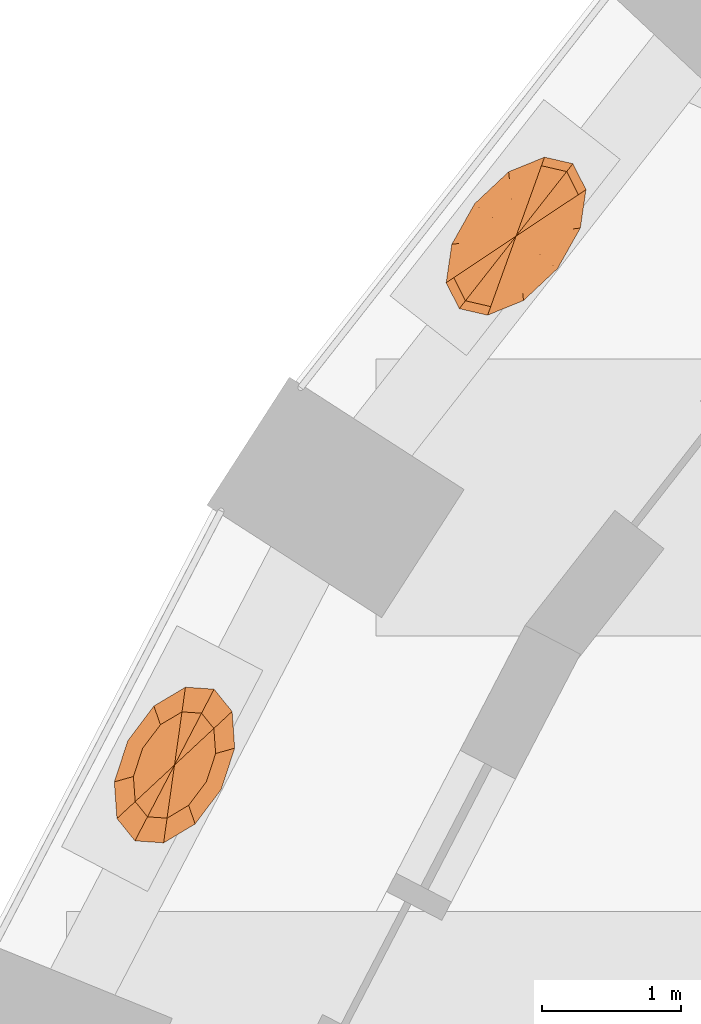
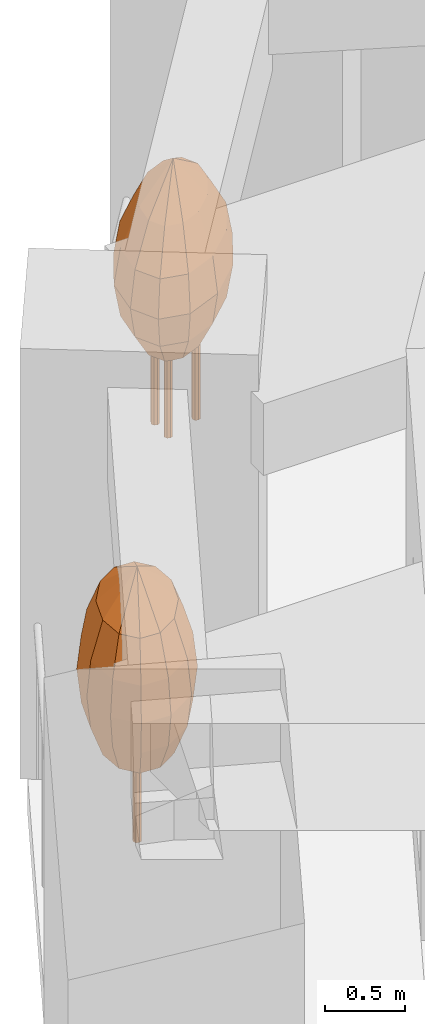
# One storey, part 13 of 13: 2 geographic elements.
"""IFC4 building model written with IfcOpenShell, lengths in metres."""

from ifc_helpers import new_model, si_unit, direction, frame, origin, place, context, subcontext, project, spatial, faceted_brep, material, constituent, constituent_set, type_object, element, save


model = new_model("IFC4")

# Units and contexts
model_context = context("Model", 3, precision=1e-05, world=origin(), true_north=direction((0.0, 1.0)))
body_context = subcontext(model_context, "Body", "Model", "MODEL_VIEW")
ifc_project = project(units=[si_unit("LENGTHUNIT", "METRE"), si_unit("AREAUNIT", "SQUARE_METRE"), si_unit("VOLUMEUNIT", "CUBIC_METRE"), si_unit("PLANEANGLEUNIT", "RADIAN"), si_unit("MASSUNIT", "GRAM", prefix="KILO")], contexts=[model_context])

# Site, building, storey
site_placement = place(None, origin())
site = spatial("IfcSite", under=ifc_project, at=site_placement, CompositionType="ELEMENT")
building_placement = place(site_placement, origin())
building = spatial("IfcBuilding", under=site, at=building_placement, Name="Taillehof Tower", CompositionType="ELEMENT")
storey_placement = place(building_placement, frame((0.0, 0.0, 31.60009765625)))
storey = spatial("IfcBuildingStorey", under=building, at=storey_placement, Name="L07", CompositionType="ELEMENT", Elevation=31.60009765625)

# Geographic elements
ifc_material_1 = material(Name="Tree bark", Category="timber")
ifc_constituent_1 = constituent(ifc_material_1, Name="Trunk", Category="timber")
ifc_material_2 = material(Name="Tree foliage")
ifc_constituent_2 = constituent(ifc_material_2, Name="Crown")
ifc_constituent_set_1 = constituent_set(constituents=[ifc_constituent_1, ifc_constituent_2], Name="Tree TR1 Columnar hornbeam")
geographic_element_type_1 = type_object("IfcGeographicElementType", Name="Tree TR1 Columnar hornbeam", PredefinedType="USERDEFINED", material=ifc_constituent_set_1)
geographic_element_1_placement = place(storey_placement, frame((-25.627685546875, 10.692626953125, 0.75)))
element("IfcGeographicElement", 1, at=geographic_element_1_placement, inside=storey, type_object=geographic_element_type_1, Name="Tree TR1 Columnar hornbeam", ObjectType="TREE", PredefinedType="USERDEFINED", context=body_context, shape_type="Brep", body=[
    faceted_brep([(0.030029296875, 0.0, 0.0), (0.021240234375, 0.021240234375, 0.0), (0.021240234375, 0.021240234375, 1.092529296875), (0.030029296875, 0.0, 1.092529296875), (0.0, 0.030029296875, 0.0), (0.0, 0.030029296875, 1.092529296875), (-0.021240234375, 0.021240234375, 0.0), (-0.021240234375, 0.021240234375, 1.092529296875), (-0.030029296875, 0.0, 0.0), (-0.030029296875, 0.0, 1.092529296875), (-0.021240234375, -0.021240234375, 0.0), (-0.021240234375, -0.021240234375, 1.092529296875), (0.0, -0.030029296875, 0.0), (0.0, -0.030029296875, 1.092529296875), (0.021240234375, -0.021240234375, 0.0), (0.021240234375, -0.021240234375, 1.092529296875)], [[[0, 1, 2, 3]], [[1, 4, 5, 2]], [[4, 6, 7, 5]], [[6, 8, 9, 7]], [[8, 10, 11, 9]], [[10, 12, 13, 11]], [[12, 14, 15, 13]], [[14, 0, 3, 15]], [[14, 12, 10, 8, 6, 4, 1, 0]], [[3, 2, 5, 7, 9, 11, 13, 15]]]),
    faceted_brep([(0.0, 0.0, 0.550048828125), (-0.053955078125, -0.3837890625, 0.808349609375), (-0.195068359375, -0.3740234375, 0.808349609375), (0.101806640625, -0.291015625, 0.808349609375), (0.230224609375, -0.1201171875, 0.808349609375), (0.296875, 0.0830078125, 0.808349609375), (0.283935546875, 0.263916015625, 0.808349609375), (0.195068359375, 0.3740234375, 0.808349609375), (0.053955078125, 0.3837890625, 0.808349609375), (-0.101806640625, 0.291015625, 0.808349609375), (-0.230224609375, 0.1201171875, 0.808349609375), (-0.296875, -0.0830078125, 0.808349609375), (-0.283935546875, -0.263916015625, 0.808349609375), (-0.07275390625, -0.519287109375, 1.066650390625), (-0.263916015625, -0.505859375, 1.066650390625), (0.1376953125, -0.3935546875, 1.066650390625), (0.311279296875, -0.162353515625, 1.066650390625), (0.401611328125, 0.1123046875, 1.066650390625), (0.38427734375, 0.35693359375, 1.066650390625), (0.263916015625, 0.505859375, 1.066650390625), (0.07275390625, 0.519287109375, 1.066650390625), (-0.1376953125, 0.3935546875, 1.066650390625), (-0.311279296875, 0.162353515625, 1.066650390625), (-0.401611328125, -0.1123046875, 1.066650390625), (-0.38427734375, -0.35693359375, 1.066650390625), (-0.078857421875, -0.56201171875, 1.324951171875), (-0.28564453125, -0.547607421875, 1.324951171875), (0.14892578125, -0.426025390625, 1.324951171875), (0.3369140625, -0.17578125, 1.324951171875), (0.4345703125, 0.12158203125, 1.324951171875), (0.415771484375, 0.38623046875, 1.324951171875), (0.28564453125, 0.547607421875, 1.324951171875), (0.078857421875, 0.56201171875, 1.324951171875), (-0.14892578125, 0.426025390625, 1.324951171875), (-0.3369140625, 0.17578125, 1.324951171875), (-0.4345703125, -0.12158203125, 1.324951171875), (-0.415771484375, -0.38623046875, 1.324951171875), (-0.07275390625, -0.519287109375, 1.583251953125), (-0.263916015625, -0.505859375, 1.583251953125), (0.1376953125, -0.3935546875, 1.583251953125), (0.311279296875, -0.162353515625, 1.583251953125), (0.401611328125, 0.1123046875, 1.583251953125), (0.38427734375, 0.35693359375, 1.583251953125), (0.263916015625, 0.505859375, 1.583251953125), (0.07275390625, 0.519287109375, 1.583251953125), (-0.1376953125, 0.3935546875, 1.583251953125), (-0.311279296875, 0.162353515625, 1.583251953125), (-0.401611328125, -0.1123046875, 1.583251953125), (-0.38427734375, -0.35693359375, 1.583251953125), (-0.053955078125, -0.3837890625, 1.841552734375), (-0.195068359375, -0.3740234375, 1.841552734375), (0.101806640625, -0.291015625, 1.841552734375), (0.230224609375, -0.1201171875, 1.841552734375), (0.296875, 0.0830078125, 1.841552734375), (0.283935546875, 0.263916015625, 1.841552734375), (0.195068359375, 0.3740234375, 1.841552734375), (0.053955078125, 0.3837890625, 1.841552734375), (-0.101806640625, 0.291015625, 1.841552734375), (-0.230224609375, 0.1201171875, 1.841552734375), (-0.296875, -0.0830078125, 1.841552734375), (-0.283935546875, -0.263916015625, 1.841552734375), (0.0, 0.0, 2.10009765625)], [[[0, 1, 2]], [[0, 3, 1]], [[0, 4, 3]], [[0, 5, 4]], [[0, 6, 5]], [[0, 7, 6]], [[0, 8, 7]], [[0, 9, 8]], [[0, 10, 9]], [[0, 11, 10]], [[0, 12, 11]], [[0, 2, 12]], [[2, 1, 13, 14]], [[1, 3, 15, 13]], [[3, 4, 16, 15]], [[4, 5, 17, 16]], [[5, 6, 18, 17]], [[6, 7, 19, 18]], [[7, 8, 20, 19]], [[8, 9, 21, 20]], [[9, 10, 22, 21]], [[10, 11, 23, 22]], [[11, 12, 24, 23]], [[12, 2, 14, 24]], [[14, 13, 25, 26]], [[13, 15, 27, 25]], [[15, 16, 28, 27]], [[16, 17, 29, 28]], [[17, 18, 30, 29]], [[18, 19, 31, 30]], [[19, 20, 32, 31]], [[20, 21, 33, 32]], [[21, 22, 34, 33]], [[22, 23, 35, 34]], [[23, 24, 36, 35]], [[24, 14, 26, 36]], [[26, 25, 37, 38]], [[25, 27, 39, 37]], [[27, 28, 40, 39]], [[28, 29, 41, 40]], [[29, 30, 42, 41]], [[30, 31, 43, 42]], [[31, 32, 44, 43]], [[32, 33, 45, 44]], [[33, 34, 46, 45]], [[34, 35, 47, 46]], [[35, 36, 48, 47]], [[36, 26, 38, 48]], [[38, 37, 49, 50]], [[37, 39, 51, 49]], [[39, 40, 52, 51]], [[40, 41, 53, 52]], [[41, 42, 54, 53]], [[42, 43, 55, 54]], [[43, 44, 56, 55]], [[44, 45, 57, 56]], [[45, 46, 58, 57]], [[46, 47, 59, 58]], [[47, 48, 60, 59]], [[48, 38, 50, 60]], [[50, 49, 61]], [[49, 51, 61]], [[51, 52, 61]], [[52, 53, 61]], [[53, 54, 61]], [[54, 55, 61]], [[55, 56, 61]], [[56, 57, 61]], [[57, 58, 61]], [[58, 59, 61]], [[59, 60, 61]], [[60, 50, 61]]]),
])
ifc_material_3 = material(Name="Tree bark", Category="timber")
ifc_constituent_3 = constituent(ifc_material_3, Name="Trunk", Category="timber")
ifc_material_4 = material(Name="Tree foliage")
ifc_constituent_4 = constituent(ifc_material_4, Name="Crown")
ifc_constituent_set_2 = constituent_set(constituents=[ifc_constituent_3, ifc_constituent_4], Name="Tree TR3 Multi-stem serviceberry")
geographic_element_type_2 = type_object("IfcGeographicElementType", Name="Tree TR3 Multi-stem serviceberry", PredefinedType="USERDEFINED", material=ifc_constituent_set_2)
geographic_element_2_placement = place(storey_placement, frame((-23.16162109375, 14.510986328125, 0.75)))
element("IfcGeographicElement", 2, at=geographic_element_2_placement, inside=storey, type_object=geographic_element_type_2, Name="Tree TR3 Multi-stem serviceberry", ObjectType="TREE", PredefinedType="USERDEFINED", context=body_context, shape_type="Brep", body=[
    faceted_brep([(0.195068359375, 0.0, 0.0), (0.186767578125, 0.0205078125, 0.0), (0.186767578125, 0.0205078125, 1.04248046875), (0.195068359375, 0.0, 1.04248046875), (0.166259765625, 0.02880859375, 0.0), (0.166259765625, 0.02880859375, 1.04248046875), (0.145751953125, 0.0205078125, 0.0), (0.145751953125, 0.0205078125, 1.04248046875), (0.137451171875, 0.0, 0.0), (0.137451171875, 0.0, 1.04248046875), (0.145751953125, -0.0205078125, 0.0), (0.145751953125, -0.0205078125, 1.04248046875), (0.166259765625, -0.02880859375, 0.0), (0.166259765625, -0.02880859375, 1.04248046875), (0.186767578125, -0.0205078125, 0.0), (0.186767578125, -0.0205078125, 1.04248046875)], [[[0, 1, 2, 3]], [[1, 4, 5, 2]], [[4, 6, 7, 5]], [[6, 8, 9, 7]], [[8, 10, 11, 9]], [[10, 12, 13, 11]], [[12, 14, 15, 13]], [[14, 0, 3, 15]], [[14, 12, 10, 8, 6, 4, 1, 0]], [[3, 2, 5, 7, 9, 11, 13, 15]]]),
    faceted_brep([(-0.05419921875, 0.082275390625, 0.0), (-0.062744140625, 0.102783203125, 0.0), (-0.062744140625, 0.102783203125, 1.04248046875), (-0.05419921875, 0.082275390625, 1.04248046875), (-0.0830078125, 0.111083984375, 0.0), (-0.0830078125, 0.111083984375, 1.04248046875), (-0.103515625, 0.102783203125, 0.0), (-0.103515625, 0.102783203125, 1.04248046875), (-0.112060546875, 0.082275390625, 0.0), (-0.112060546875, 0.082275390625, 1.04248046875), (-0.103515625, 0.061767578125, 0.0), (-0.103515625, 0.061767578125, 1.04248046875), (-0.0830078125, 0.053466796875, 0.0), (-0.0830078125, 0.053466796875, 1.04248046875), (-0.062744140625, 0.061767578125, 0.0), (-0.062744140625, 0.061767578125, 1.04248046875)], [[[0, 1, 2, 3]], [[1, 4, 5, 2]], [[4, 6, 7, 5]], [[6, 8, 9, 7]], [[8, 10, 11, 9]], [[10, 12, 13, 11]], [[12, 14, 15, 13]], [[14, 0, 3, 15]], [[14, 12, 10, 8, 6, 4, 1, 0]], [[3, 2, 5, 7, 9, 11, 13, 15]]]),
    faceted_brep([(-0.05419921875, -0.082275390625, 0.0), (-0.062744140625, -0.061767578125, 0.0), (-0.062744140625, -0.061767578125, 1.04248046875), (-0.05419921875, -0.082275390625, 1.04248046875), (-0.0830078125, -0.053466796875, 0.0), (-0.0830078125, -0.053466796875, 1.04248046875), (-0.103515625, -0.061767578125, 0.0), (-0.103515625, -0.061767578125, 1.04248046875), (-0.112060546875, -0.082275390625, 0.0), (-0.112060546875, -0.082275390625, 1.04248046875), (-0.103515625, -0.102783203125, 0.0), (-0.103515625, -0.102783203125, 1.04248046875), (-0.0830078125, -0.111083984375, 0.0), (-0.0830078125, -0.111083984375, 1.04248046875), (-0.062744140625, -0.102783203125, 0.0), (-0.062744140625, -0.102783203125, 1.04248046875)], [[[0, 1, 2, 3]], [[1, 4, 5, 2]], [[4, 6, 7, 5]], [[6, 8, 9, 7]], [[8, 10, 11, 9]], [[10, 12, 13, 11]], [[12, 14, 15, 13]], [[14, 0, 3, 15]], [[14, 12, 10, 8, 6, 4, 1, 0]], [[3, 2, 5, 7, 9, 11, 13, 15]]]),
    faceted_brep([(0.0, 0.0, 0.5), (-0.1181640625, -0.32763671875, 0.75830078125), (-0.235595703125, -0.30078125, 0.75830078125), (0.031005859375, -0.266845703125, 0.75830078125), (0.171875, -0.134521484375, 0.75830078125), (0.2666015625, 0.03369140625, 0.75830078125), (0.289794921875, 0.193115234375, 0.75830078125), (0.235595703125, 0.30078125, 0.75830078125), (0.1181640625, 0.32763671875, 0.75830078125), (-0.031005859375, 0.266845703125, 0.75830078125), (-0.171875, 0.134521484375, 0.75830078125), (-0.2666015625, -0.03369140625, 0.75830078125), (-0.289794921875, -0.193115234375, 0.75830078125), (-0.18310546875, -0.508544921875, 1.0166015625), (-0.365478515625, -0.466552734375, 1.0166015625), (0.048095703125, -0.4140625, 1.0166015625), (0.2666015625, -0.208740234375, 1.0166015625), (0.41357421875, 0.052490234375, 1.0166015625), (0.449951171875, 0.299560546875, 1.0166015625), (0.365478515625, 0.466552734375, 1.0166015625), (0.18310546875, 0.508544921875, 1.0166015625), (-0.048095703125, 0.4140625, 1.0166015625), (-0.2666015625, 0.208740234375, 1.0166015625), (-0.41357421875, -0.052490234375, 1.0166015625), (-0.449951171875, -0.299560546875, 1.0166015625), (-0.20556640625, -0.570556640625, 1.27490234375), (-0.41015625, -0.5234375, 1.27490234375), (0.053955078125, -0.464599609375, 1.27490234375), (0.299072265625, -0.234375, 1.27490234375), (0.464111328125, 0.058837890625, 1.27490234375), (0.504638671875, 0.336181640625, 1.27490234375), (0.41015625, 0.5234375, 1.27490234375), (0.20556640625, 0.570556640625, 1.27490234375), (-0.053955078125, 0.464599609375, 1.27490234375), (-0.299072265625, 0.234375, 1.27490234375), (-0.464111328125, -0.058837890625, 1.27490234375), (-0.504638671875, -0.336181640625, 1.27490234375), (-0.18310546875, -0.508544921875, 1.533447265625), (-0.365478515625, -0.466552734375, 1.533447265625), (0.048095703125, -0.4140625, 1.533447265625), (0.2666015625, -0.208740234375, 1.533447265625), (0.41357421875, 0.052490234375, 1.533447265625), (0.449951171875, 0.299560546875, 1.533447265625), (0.365478515625, 0.466552734375, 1.533447265625), (0.18310546875, 0.508544921875, 1.533447265625), (-0.048095703125, 0.4140625, 1.533447265625), (-0.2666015625, 0.208740234375, 1.533447265625), (-0.41357421875, -0.052490234375, 1.533447265625), (-0.449951171875, -0.299560546875, 1.533447265625), (-0.1181640625, -0.32763671875, 1.791748046875), (-0.235595703125, -0.30078125, 1.791748046875), (0.031005859375, -0.266845703125, 1.791748046875), (0.171875, -0.134521484375, 1.791748046875), (0.2666015625, 0.03369140625, 1.791748046875), (0.289794921875, 0.193115234375, 1.791748046875), (0.235595703125, 0.30078125, 1.791748046875), (0.1181640625, 0.32763671875, 1.791748046875), (-0.031005859375, 0.266845703125, 1.791748046875), (-0.171875, 0.134521484375, 1.791748046875), (-0.2666015625, -0.03369140625, 1.791748046875), (-0.289794921875, -0.193115234375, 1.791748046875), (0.0, 0.0, 2.050048828125)], [[[0, 1, 2]], [[0, 3, 1]], [[0, 4, 3]], [[0, 5, 4]], [[0, 6, 5]], [[0, 7, 6]], [[0, 8, 7]], [[0, 9, 8]], [[0, 10, 9]], [[0, 11, 10]], [[0, 12, 11]], [[0, 2, 12]], [[2, 1, 13, 14]], [[1, 3, 15, 13]], [[3, 4, 16, 15]], [[4, 5, 17, 16]], [[5, 6, 18, 17]], [[6, 7, 19, 18]], [[7, 8, 20, 19]], [[8, 9, 21, 20]], [[9, 10, 22, 21]], [[10, 11, 23, 22]], [[11, 12, 24, 23]], [[12, 2, 14, 24]], [[14, 13, 25, 26]], [[13, 15, 27, 25]], [[15, 16, 28, 27]], [[16, 17, 29, 28]], [[17, 18, 30, 29]], [[18, 19, 31, 30]], [[19, 20, 32, 31]], [[20, 21, 33, 32]], [[21, 22, 34, 33]], [[22, 23, 35, 34]], [[23, 24, 36, 35]], [[24, 14, 26, 36]], [[26, 25, 37, 38]], [[25, 27, 39, 37]], [[27, 28, 40, 39]], [[28, 29, 41, 40]], [[29, 30, 42, 41]], [[30, 31, 43, 42]], [[31, 32, 44, 43]], [[32, 33, 45, 44]], [[33, 34, 46, 45]], [[34, 35, 47, 46]], [[35, 36, 48, 47]], [[36, 26, 38, 48]], [[38, 37, 49, 50]], [[37, 39, 51, 49]], [[39, 40, 52, 51]], [[40, 41, 53, 52]], [[41, 42, 54, 53]], [[42, 43, 55, 54]], [[43, 44, 56, 55]], [[44, 45, 57, 56]], [[45, 46, 58, 57]], [[46, 47, 59, 58]], [[47, 48, 60, 59]], [[48, 38, 50, 60]], [[50, 49, 61]], [[49, 51, 61]], [[51, 52, 61]], [[52, 53, 61]], [[53, 54, 61]], [[54, 55, 61]], [[55, 56, 61]], [[56, 57, 61]], [[57, 58, 61]], [[58, 59, 61]], [[59, 60, 61]], [[60, 50, 61]]]),
])

save(model, "model.ifc")
